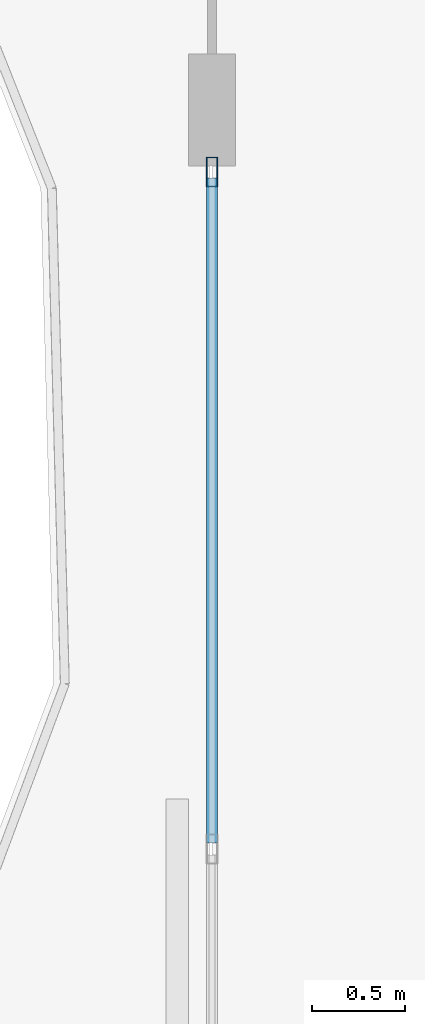
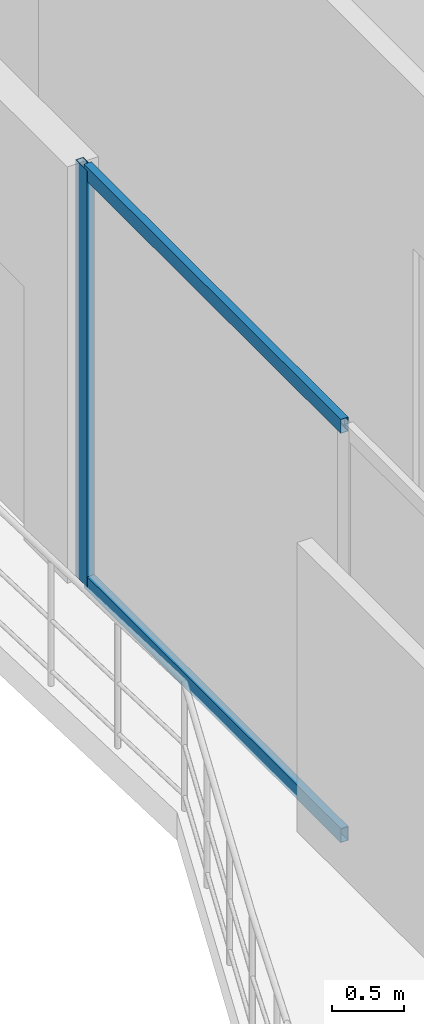
# One storey, part 8 of 16: 3 members, 1 element without a shape of its own.
"""IFC4 building model written with IfcOpenShell, lengths in metres."""

from ifc_helpers import new_model, si_unit, direction, frame, origin, origin_2d, place, context, subcontext, project, spatial, hollow_rectangle, extrude, material, layer, layer_set, material_profile, profile_set, type_object, element, aggregate, save


model = new_model("IFC4")

# Units and contexts
model_context = context("Model", 3, precision=1e-05, world=origin(), true_north=direction((0.0, 1.0)))
body_context = subcontext(model_context, "Body", "Model", "MODEL_VIEW")
ifc_project = project(units=[si_unit("LENGTHUNIT", "METRE"), si_unit("AREAUNIT", "SQUARE_METRE"), si_unit("VOLUMEUNIT", "CUBIC_METRE"), si_unit("PLANEANGLEUNIT", "RADIAN"), si_unit("MASSUNIT", "GRAM", prefix="KILO")], contexts=[model_context])

# Site, building, storey
site_placement = place(None, origin())
site = spatial("IfcSite", under=ifc_project, at=site_placement, CompositionType="ELEMENT")
building_placement = place(site_placement, origin())
building = spatial("IfcBuilding", under=site, at=building_placement, Name="Catumbela Crestline Tower", CompositionType="ELEMENT")
storey_placement = place(building_placement, frame((0.0, 0.0, 275.4)))
storey = spatial("IfcBuildingStorey", under=building, at=storey_placement, Name="L71", CompositionType="ELEMENT", Elevation=275.4)

# Curtain wall, members
ifc_material = material(Name="Aluminium alloy AW-6060-T66", Category="aluminium")
ifc_layer = layer(ifc_material, 0.18, Name="Aluminium alloy AW-6060-T66")
ifc_layer_set = layer_set([ifc_layer], Name="Aluminium alloy AW-6060-T66")
curtain_wall_type = type_object("IfcCurtainWallType", Name="CWU-Z4", PredefinedType="USERDEFINED", material=ifc_layer_set)
curtain_wall_placement = place(storey_placement, origin())
curtain_wall = element("IfcCurtainWall", 1, at=curtain_wall_placement, inside=storey, type_object=curtain_wall_type, Name="L71 Unitised Curtain Wall CW-L71-E9S2", ObjectType="UNITISED", PredefinedType="USERDEFINED")
ifc_material_profile_1 = material_profile(ifc_material, hollow_rectangle(XDim=0.06, YDim=0.16, WallThickness=0.004, at=origin_2d()), Name="ALU 160x60x4")
ifc_profile_set_1 = profile_set([ifc_material_profile_1], Name="Aluminium alloy AW-6060-T66")
member_type_1 = type_object("IfcMemberType", Name="MUL-160X60", PredefinedType="MULLION", material=ifc_profile_set_1)
member_1_placement = place(storey_placement, frame((9.2, 34.5675, 0.0), z_axis=(0.0, 0.0, 1.0), x_axis=(1.0, 0.0, 0.0)))
member_1 = element("IfcMember", 2, at=member_1_placement, type_object=member_type_1, Name="CWU-Z4 mullion 1", PredefinedType="MULLION", context=body_context, shape_type="SweptSolid", body=[
    extrude(hollow_rectangle(XDim=0.06, YDim=0.16, WallThickness=0.004, at=origin_2d()), origin(), (0.0, 0.0, 1.0), 3.53),
])
ifc_material_profile_2 = material_profile(ifc_material, hollow_rectangle(XDim=0.06, YDim=0.12, WallThickness=0.0035, at=origin_2d()), Name="ALU 120x60x3.5")
ifc_profile_set_2 = profile_set([ifc_material_profile_2], Name="Aluminium alloy AW-6060-T66")
member_type_2 = type_object("IfcMemberType", Name="TRN-120X60", PredefinedType="USERDEFINED", material=ifc_profile_set_2)
member_2_placement = place(storey_placement, frame((9.2, 34.535, 0.03), z_axis=(0.0, -1.0, 0.0), x_axis=(1.0, 0.0, 0.0)))
member_2 = element("IfcMember", 3, at=member_2_placement, type_object=member_type_2, Name="CWU-Z4 transom 1.1", ObjectType="TRANSOM", PredefinedType="USERDEFINED", context=body_context, shape_type="SweptSolid", body=[
    extrude(hollow_rectangle(XDim=0.06, YDim=0.12, WallThickness=0.0035, at=origin_2d()), origin(), (0.0, 0.0, 1.0), 3.5692),
])
member_3_placement = place(storey_placement, frame((9.2, 34.535, 3.5), z_axis=(0.0, -1.0, 0.0), x_axis=(1.0, 0.0, 0.0)))
member_3 = element("IfcMember", 4, at=member_3_placement, type_object=member_type_2, Name="CWU-Z4 transom 1.2", ObjectType="TRANSOM", PredefinedType="USERDEFINED", context=body_context, shape_type="SweptSolid", body=[
    extrude(hollow_rectangle(XDim=0.06, YDim=0.12, WallThickness=0.0035, at=origin_2d()), origin(), (0.0, 0.0, 1.0), 3.5692),
])
aggregate(curtain_wall, [member_1, member_2, member_3])

save(model, "model.ifc")
